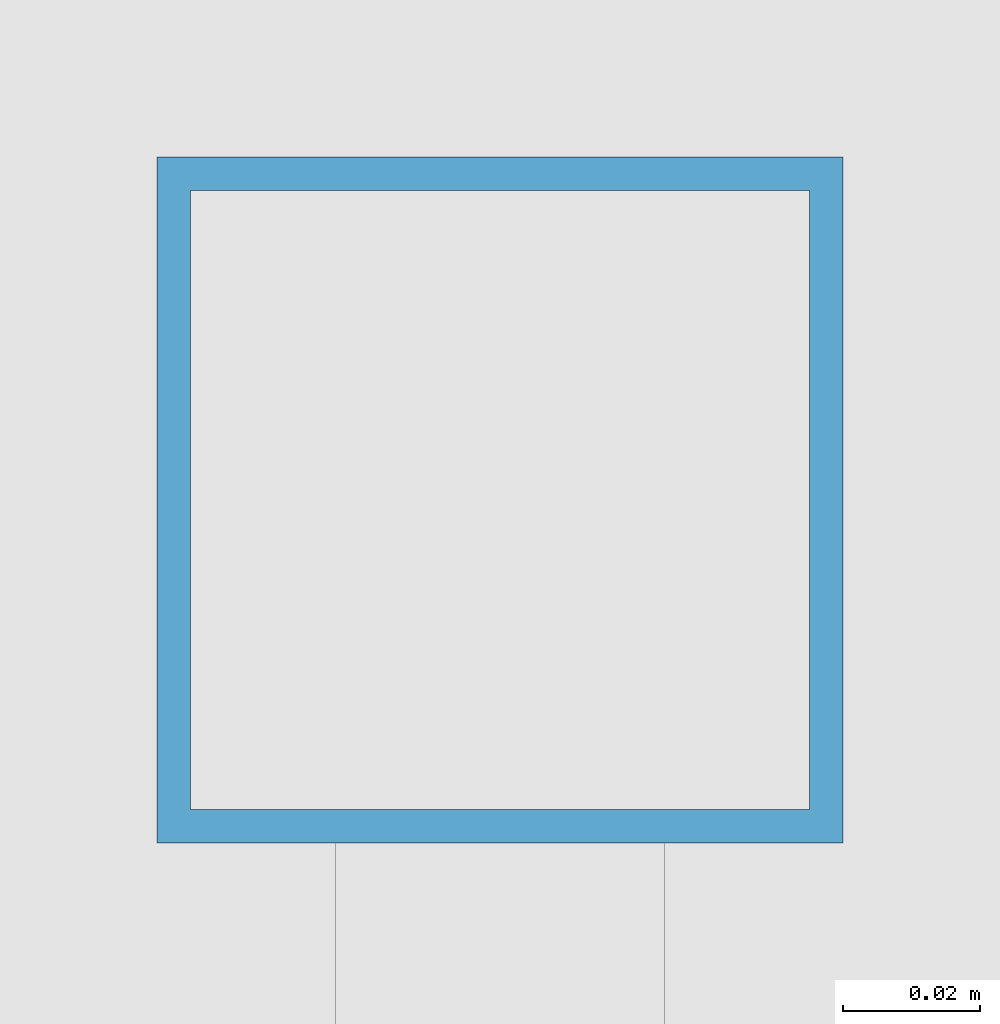
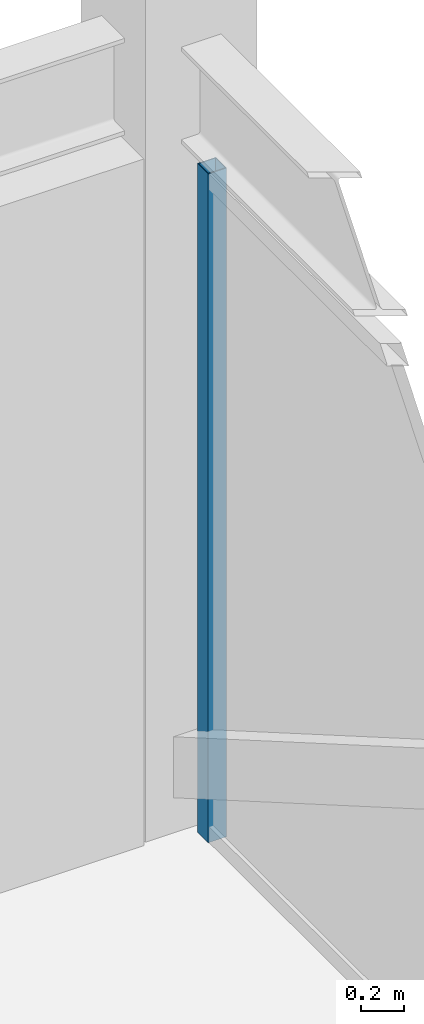
# One storey, part 20 of 27: 1 member, 1 element without a shape of its own.
"""IFC4 building model written with IfcOpenShell, lengths in metres."""

from ifc_helpers import new_model, si_unit, direction, frame, origin, origin_2d, place, context, subcontext, project, spatial, hollow_rectangle, extrude, source, transform, mapped, material, material_profile, profile_set, type_object, element, aggregate, save


model = new_model("IFC4")

# Units and contexts
model_context = context("Model", 3, precision=1e-05, world=origin(), true_north=direction((0.0, 1.0)))
body_context = subcontext(model_context, "Body", "Model", "MODEL_VIEW")
ifc_project = project(units=[si_unit("LENGTHUNIT", "METRE"), si_unit("AREAUNIT", "SQUARE_METRE"), si_unit("VOLUMEUNIT", "CUBIC_METRE"), si_unit("PLANEANGLEUNIT", "RADIAN"), si_unit("MASSUNIT", "GRAM", prefix="KILO")], contexts=[model_context])

# Site, building, storey
site_placement = place(None, origin())
site = spatial("IfcSite", under=ifc_project, at=site_placement, CompositionType="ELEMENT")
building_placement = place(site_placement, origin())
building = spatial("IfcBuilding", under=site, at=building_placement, Name="Khorayat Bourse Tower", CompositionType="ELEMENT")
storey_placement = place(building_placement, frame((0.0, 0.0, 394.699951171875)))
storey = spatial("IfcBuildingStorey", under=building, at=storey_placement, Name="L93", CompositionType="ELEMENT", Elevation=394.699951171875)

# Curtain wall, member
ifc_material = material(Name="Aluminium EN AW-6063 T6", Category="aluminium")
curtain_wall_type = type_object("IfcCurtainWallType", Name="CW-SYS-07", PredefinedType="NOTDEFINED", material=ifc_material)
curtain_wall_placement = place(storey_placement, origin())
curtain_wall = element("IfcCurtainWall", 1, at=curtain_wall_placement, inside=storey, type_object=curtain_wall_type, Name="L93 Curtain Wall CW-L93-E1", PredefinedType="NOTDEFINED")
ifc_material_profile = material_profile(ifc_material, hollow_rectangle(XDim=0.10009765625, YDim=0.10009765625, WallThickness=0.0048828125, at=origin_2d()), Name="ALU 100x100x5")
ifc_profile_set = profile_set([ifc_material_profile], Name="Aluminium EN AW-6063 T6")
member_type = type_object("IfcMemberType", Name="CWM-LANTERN-100", PredefinedType="MULLION", material=ifc_profile_set)
shared_shape = source(origin(), body_context, "Body", "SweptSolid", [
    extrude(hollow_rectangle(XDim=0.10009765625, YDim=0.10009765625, WallThickness=0.0048828125, at=origin_2d()), origin(), (0.0, 0.0, 1.0), 3.800048828125),
])
member_placement = place(storey_placement, frame((24.0, 17.60009765625, 0.0), z_axis=(0.0, 0.0, 1.0), x_axis=(-1.0, 0.0, 0.0)))
member = element("IfcMember", 2, at=member_placement, type_object=member_type, Name="CW-L93-E1 Vertical Mullion 3", PredefinedType="MULLION", context=body_context, shape_type="MappedRepresentation", body=[
    mapped(shared_shape, transform((0.0, 0.0, 0.0), scale=1.0)),
])
aggregate(curtain_wall, [member])

save(model, "model.ifc")
